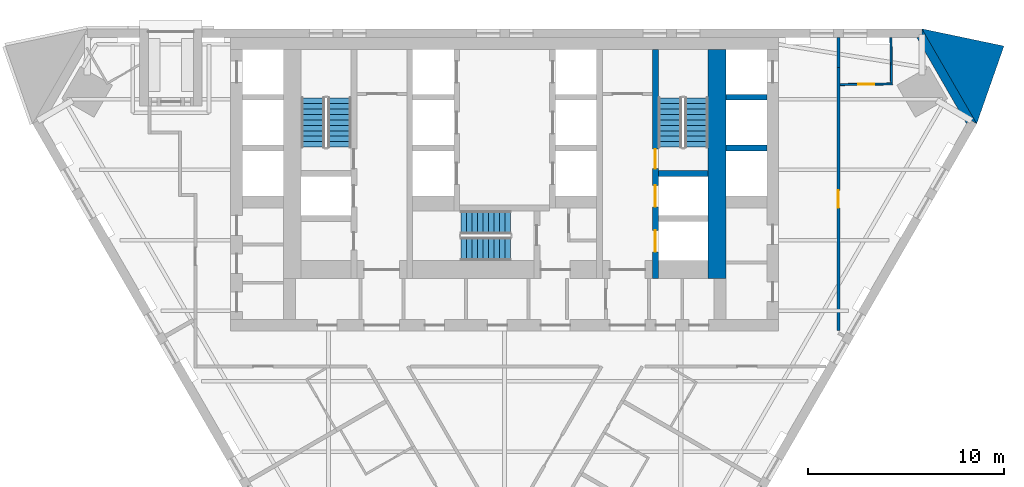
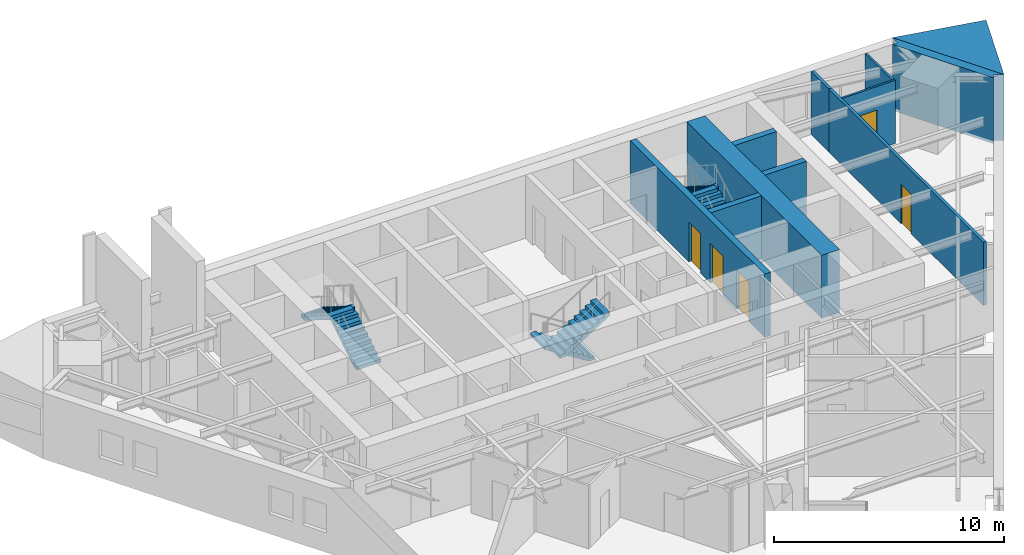
# One storey, part 7 of 9: 11 walls, 6 stair flights, 5 doors, 5 openings, 3 elements without a shape of their own.
"""IFC4 building model written with IfcOpenShell, lengths in metres."""

from ifc_helpers import new_model, si_unit, direction, frame, frame_2d, origin, place, context, subcontext, project, spatial, polyline, rectangle, outline, extrude, material, layer, layer_set, type_object, element, fill, aggregate, save


model = new_model("IFC4")

# Units and contexts
model_context = context("Model", 3, precision=1e-05, world=origin(), true_north=direction((0.0, 1.0)))
body_context = subcontext(model_context, "Body", "Model", "MODEL_VIEW")
ifc_project = project(units=[si_unit("LENGTHUNIT", "METRE"), si_unit("AREAUNIT", "SQUARE_METRE"), si_unit("VOLUMEUNIT", "CUBIC_METRE"), si_unit("PLANEANGLEUNIT", "RADIAN"), si_unit("MASSUNIT", "GRAM", prefix="KILO")], contexts=[model_context])

# Site, building, storey
site_placement = place(None, origin())
site = spatial("IfcSite", under=ifc_project, at=site_placement, CompositionType="ELEMENT")
building_placement = place(site_placement, origin())
building = spatial("IfcBuilding", under=site, at=building_placement, Name="Aloe Facet Convention Tower", CompositionType="ELEMENT")
storey_placement = place(building_placement, frame((0.0, 0.0, 92.300048828125)))
storey = spatial("IfcBuildingStorey", under=building, at=storey_placement, Name="L22", CompositionType="ELEMENT", Elevation=92.300048828125)

# Wall, openings, doors
ifc_material_1 = material(Name="Concrete C70/85", Category="concrete")
ifc_layer_1 = layer(ifc_material_1, 0.300048828125)
ifc_layer_set_1 = layer_set([ifc_layer_1], Name="CR-W-RC300-C7085")
wall_type_1 = type_object("IfcWallType", Name="CR-W-RC300-C7085", PredefinedType="SOLIDWALL", material=ifc_layer_set_1)
wall_1_placement = place(storey_placement, frame((87.699951171875, 133.949951171875, 0.0), z_axis=(0.0, 0.0, 1.0), x_axis=(0.0, -1.0, 0.0)))
wall_1 = element("IfcWall", 1, at=wall_1_placement, inside=storey, type_object=wall_type_1, Name="Core wall L22-042", PredefinedType="SOLIDWALL", context=body_context, shape_type="SweptSolid", body=[
    extrude(rectangle(XDim=11.699951171875, YDim=0.300048828125, at=frame_2d((5.85009765625, 0.0))), origin(), (0.0, 0.0, 1.0), 3.349853515625),
])
opening_1_placement = place(wall_1_placement, frame((6.949951171875, 0.0, 0.0)))
opening_1 = element("IfcOpeningElement", 2, at=opening_1_placement, cuts=wall_1, Name="Opening LD-FF2-L22", PredefinedType="OPENING", context=body_context, shape_type="SweptSolid", body=[
    extrude(rectangle(XDim=1.10009765625, YDim=2.10009765625, at=frame_2d((0.550048828125, 1.050048828125))), frame((0.0, 0.16015625, 0.0), z_axis=(0.0, -1.0, 0.0), x_axis=(1.0, 0.0, 0.0)), (0.0, 0.0, 1.0), 0.320068359375),
])
opening_2_placement = place(wall_1_placement, frame((5.10009765625, 0.0, 0.0)))
opening_2 = element("IfcOpeningElement", 3, at=opening_2_placement, cuts=wall_1, Name="Opening L22-CD30", PredefinedType="OPENING", context=body_context, shape_type="SweptSolid", body=[
    extrude(rectangle(XDim=1.0, YDim=2.10009765625, at=frame_2d((0.5, 1.050048828125))), frame((0.0, 0.16015625, 0.0), z_axis=(0.0, -1.0, 0.0), x_axis=(1.0, 0.0, 0.0)), (0.0, 0.0, 1.0), 0.320068359375),
])
opening_3_placement = place(wall_1_placement, frame((9.25, 0.0, 0.0)))
opening_3 = element("IfcOpeningElement", 4, at=opening_3_placement, cuts=wall_1, Name="Opening LD-SV1-L22", PredefinedType="OPENING", context=body_context, shape_type="SweptSolid", body=[
    extrude(rectangle(XDim=1.10009765625, YDim=2.10009765625, at=frame_2d((0.550048828125, 1.050048828125))), frame((0.0, 0.16015625, 0.0), z_axis=(0.0, -1.0, 0.0), x_axis=(1.0, 0.0, 0.0)), (0.0, 0.0, 1.0), 0.320068359375),
])
ifc_material_2 = material(Name="Steel fire-resisting door set FD120", Category="steel")
door_type_1 = type_object("IfcDoorType", Name="CR-D-STAIR-1000-FD120-SLEFT", OperationType="SINGLE_SWING_LEFT", PredefinedType="DOOR", material=ifc_material_2)
door_1_placement = place(opening_2_placement, origin())
door_1 = element("IfcDoor", 5, at=door_1_placement, inside=storey, type_object=door_type_1, Name="Core door L22-CD30", OperationType="SINGLE_SWING_LEFT", OverallHeight=2.10009765625, OverallWidth=1.0, PredefinedType="DOOR", context=body_context, shape_type="SweptSolid", body=[
    extrude(rectangle(XDim=1.0, YDim=2.10009765625, at=frame_2d((0.5, 1.050048828125))), frame((0.0, 0.02490234375, 0.0), z_axis=(0.0, -1.0, 0.0), x_axis=(1.0, 0.0, 0.0)), (0.0, 0.0, 1.0), 0.050048828125),
])
fill(opening_2, door_1)
ifc_material_3 = material(Name="Stainless steel sliding landing door", Category="steel")
door_type_2 = type_object("IfcDoorType", Name="CR-LD-1100-FD120-_LEFT", OperationType="SLIDING_TO_LEFT", PredefinedType="DOOR", material=ifc_material_3)
door_2_placement = place(opening_1_placement, origin())
door_2 = element("IfcDoor", 6, at=door_2_placement, inside=storey, type_object=door_type_2, Name="Landing door FF2 L22", OperationType="SLIDING_TO_LEFT", OverallHeight=2.10009765625, OverallWidth=1.10009765625, PredefinedType="DOOR", context=body_context, shape_type="SweptSolid", body=[
    extrude(rectangle(XDim=1.10009765625, YDim=2.10009765625, at=frame_2d((0.550048828125, 1.050048828125))), frame((0.0, 0.02490234375, 0.0), z_axis=(0.0, -1.0, 0.0), x_axis=(1.0, 0.0, 0.0)), (0.0, 0.0, 1.0), 0.050048828125),
])
fill(opening_1, door_2)
door_3_placement = place(opening_3_placement, origin())
door_3 = element("IfcDoor", 7, at=door_3_placement, inside=storey, type_object=door_type_2, Name="Landing door SV1 L22", OperationType="SLIDING_TO_LEFT", OverallHeight=2.10009765625, OverallWidth=1.10009765625, PredefinedType="DOOR", context=body_context, shape_type="SweptSolid", body=[
    extrude(rectangle(XDim=1.10009765625, YDim=2.10009765625, at=frame_2d((0.550048828125, 1.050048828125))), frame((0.0, 0.02490234375, 0.0), z_axis=(0.0, -1.0, 0.0), x_axis=(1.0, 0.0, 0.0)), (0.0, 0.0, 1.0), 0.050048828125),
])
fill(opening_3, door_3)

# Walls
wall_2_placement = place(storey_placement, frame((87.85009765625, 127.60009765625, 0.0), z_axis=(0.0, 0.0, 1.0), x_axis=(1.0, 0.0, 0.0)))
element("IfcWall", 8, at=wall_2_placement, inside=storey, type_object=wall_type_1, Name="Core wall L22-043", PredefinedType="SOLIDWALL", context=body_context, shape_type="SweptSolid", body=[
    extrude(rectangle(XDim=2.5498046875, YDim=0.300048828125, at=frame_2d((1.27490234375, 0.0))), origin(), (0.0, 0.0, 1.0), 3.349853515625),
])
for number, where, z_axis, x_axis, name in (
    (9, (91.300048828125, 131.5, 0.0), (0.0, 0.0, 1.0), (1.0, 0.0, 0.0), "Core wall L22-049"),
    (10, (91.300048828125, 128.89990234375, 0.0), (0.0, 0.0, 1.0), (1.0, 0.0, 0.0), "Core wall L22-050"),
):
    element("IfcWall", number, at=place(storey_placement, frame(where, z_axis=z_axis, x_axis=x_axis)), inside=storey, type_object=wall_type_1, Name=name, PredefinedType="SOLIDWALL", context=body_context, shape_type="SweptSolid", body=[
        extrude(rectangle(XDim=2.099853515625, YDim=0.300048828125, at=frame_2d((1.0498046875, 0.0))), origin(), (0.0, 0.0, 1.0), 3.349853515625),
    ])
ifc_material_4 = material(Name="Concrete C70/85", Category="concrete")
ifc_layer_2 = layer(ifc_material_4, 0.89990234375)
ifc_layer_set_2 = layer_set([ifc_layer_2], Name="CR-W-RC900-C7085")
wall_type_2 = type_object("IfcWallType", Name="CR-W-RC900-C7085", PredefinedType="SOLIDWALL", material=ifc_layer_set_2)
wall_3_placement = place(storey_placement, frame((90.85009765625, 133.949951171875, 0.0), z_axis=(0.0, 0.0, 1.0), x_axis=(0.0, -1.0, 0.0)))
element("IfcWall", 11, at=wall_3_placement, inside=storey, type_object=wall_type_2, Name="Core wall L22-047", PredefinedType="SOLIDWALL", context=body_context, shape_type="SweptSolid", body=[
    extrude(rectangle(XDim=11.699951171875, YDim=0.89990234375, at=frame_2d((5.85009765625, 0.0))), origin(), (0.0, 0.0, 1.0), 3.349853515625),
])
ifc_material_5 = material(Name="Precast concrete C40/50", Category="concrete")
ifc_layer_3 = layer(ifc_material_5, 0.449951171875)
ifc_layer_set_3 = layer_set([ifc_layer_3], Name="EV-WALL-PIER")
wall_type_3 = type_object("IfcWallType", Name="EV-WALL-PIER", PredefinedType="SOLIDWALL", material=ifc_layer_set_3)
wall_4_placement = place(storey_placement, frame((0.0, 0.0, -0.150146484375)))
element("IfcWall", 12, at=wall_4_placement, inside=storey, type_object=wall_type_3, Name="EP-L22-C", PredefinedType="SOLIDWALL", context=body_context, shape_type="SweptSolid", body=[
    extrude(outline(polyline([(104.12158203125, 130.150146484375), (103.73193359375, 130.375244140625), (103.601806640625, 130.150146484375), (101.061767578125, 134.550048828125), (101.321533203125, 134.550048828125), (101.321533203125, 135.0), (104.12158203125, 130.150146484375)])), origin(), (0.0, 0.0, 1.0), 3.5),
])
ifc_material_6 = material(Name="Precast concrete C40/50", Category="concrete")
ifc_layer_4 = layer(ifc_material_6, 3.947998046875)
ifc_layer_set_4 = layer_set([ifc_layer_4], Name="EV-WALL-SPINE")
wall_type_4 = type_object("IfcWallType", Name="EV-WALL-SPINE", PredefinedType="SOLIDWALL", material=ifc_layer_set_4)
wall_5_placement = place(storey_placement, frame((0.0, 0.0, -0.150146484375)))
element("IfcWall", 13, at=wall_5_placement, inside=storey, type_object=wall_type_4, Name="SP-NE-L22", PredefinedType="SOLIDWALL", context=body_context, shape_type="SweptSolid", body=[
    extrude(outline(polyline([(104.12158203125, 130.150146484375), (105.515625, 134.119873046875), (101.321533203125, 135.0), (104.12158203125, 130.150146484375)])), origin(), (0.0, 0.0, 1.0), 3.5),
])
ifc_material_7 = material(Name="Gypsum board partition on steel studs", Category="steel")
ifc_layer_5 = layer(ifc_material_7, 0.14990234375)
ifc_layer_set_5 = layer_set([ifc_layer_5], Name="IN-W-CORR")
wall_type_5 = type_object("IfcWallType", Name="IN-W-CORR", PredefinedType="PARTITIONING", material=ifc_layer_set_5)
wall_6_placement = place(storey_placement, frame((97.05712890625, 133.010986328125, 0.0), z_axis=(0.0, 0.0, 1.0), x_axis=(0.0, 1.0, 0.0)))
element("IfcWall", 14, at=wall_6_placement, inside=storey, type_object=wall_type_5, Name="Partition L22-W060", PredefinedType="PARTITIONING", context=body_context, shape_type="SweptSolid", body=[
    extrude(rectangle(XDim=1.5390625, YDim=0.14990234375, at=frame_2d((0.76953125, 0.0))), origin(), (0.0, 0.0, 1.0), 3.349853515625),
])

# Wall, opening, door
wall_7_placement = place(storey_placement, frame((97.05712890625, 119.586669921875, 0.0), z_axis=(0.0, 0.0, 1.0), x_axis=(0.0, 1.0, 0.0)))
wall_7 = element("IfcWall", 15, at=wall_7_placement, inside=storey, type_object=wall_type_5, Name="Partition L22-W061", PredefinedType="PARTITIONING", context=body_context, shape_type="SweptSolid", body=[
    extrude(rectangle(XDim=13.42431640625, YDim=0.14990234375, at=frame_2d((6.712158203125, 0.0))), origin(), (0.0, 0.0, 1.0), 3.349853515625),
])
opening_4_placement = place(wall_7_placement, frame((6.26220703125, 0.0, 0.0)))
opening_4 = element("IfcOpeningElement", 16, at=opening_4_placement, cuts=wall_7, Name="Opening L22-007", PredefinedType="OPENING", context=body_context, shape_type="SweptSolid", body=[
    extrude(rectangle(XDim=0.89990234375, YDim=2.10009765625, at=frame_2d((0.449951171875, 1.050048828125))), frame((0.0, 0.0849609375, 0.0), z_axis=(0.0, -1.0, 0.0), x_axis=(1.0, 0.0, 0.0)), (0.0, 0.0, 1.0), 0.169921875),
])
ifc_material_8 = material(Name="Hardwood flush door FD30S", Category="wood")
door_type_3 = type_object("IfcDoorType", Name="IN-D-GUEST", OperationType="SINGLE_SWING_LEFT", PredefinedType="DOOR", material=ifc_material_8)
door_4_placement = place(opening_4_placement, origin())
door_4 = element("IfcDoor", 17, at=door_4_placement, inside=storey, type_object=door_type_3, Name="Door L22-007", OperationType="SINGLE_SWING_LEFT", OverallHeight=2.10009765625, OverallWidth=0.89990234375, PredefinedType="DOOR", context=body_context, shape_type="SweptSolid", body=[
    extrude(rectangle(XDim=0.89990234375, YDim=2.10009765625, at=frame_2d((0.449951171875, 1.050048828125))), frame((0.0, 0.02490234375, 0.0), z_axis=(0.0, -1.0, 0.0), x_axis=(1.0, 0.0, 0.0)), (0.0, 0.0, 1.0), 0.050048828125),
])
fill(opening_4, door_4)

ifc_material_9 = material(Name="Gypsum board partition on steel studs", Category="steel")
ifc_layer_6 = layer(ifc_material_9, 0.10009765625)
ifc_layer_set_6 = layer_set([ifc_layer_6], Name="IN-W-PART")
wall_type_6 = type_object("IfcWallType", Name="IN-W-PART", PredefinedType="PARTITIONING", material=ifc_layer_set_6)
wall_8_placement = place(storey_placement, frame((97.142822265625, 132.14990234375, 0.0), z_axis=(0.0, 0.0, 1.0), x_axis=(0.999914830804, 0.013051097189, 0.0)))
wall_8 = element("IfcWall", 18, at=wall_8_placement, inside=storey, type_object=wall_type_6, Name="Partition L22-W056", PredefinedType="PARTITIONING", context=body_context, shape_type="SweptSolid", body=[
    extrude(rectangle(XDim=2.675048828125, YDim=0.10009765625, at=frame_2d((1.33740234375, 0.0))), origin(), (0.0, 0.0, 1.0), 3.349853515625),
])
opening_5_placement = place(wall_8_placement, frame((0.9375, 0.0, 0.0)))
opening_5 = element("IfcOpeningElement", 19, at=opening_5_placement, cuts=wall_8, Name="Opening L22-015", PredefinedType="OPENING", context=body_context, shape_type="SweptSolid", body=[
    extrude(rectangle(XDim=0.800048828125, YDim=2.10009765625, at=frame_2d((0.39990234375, 1.050048828125))), frame((0.0, 0.06005859375, 0.0), z_axis=(0.0, -1.0, 0.0), x_axis=(1.0, 0.0, 0.0)), (0.0, 0.0, 1.0), 0.1201171875),
])
ifc_material_10 = material(Name="Timber flush door", Category="wood")
door_type_4 = type_object("IfcDoorType", Name="IN-D-BATH", OperationType="SINGLE_SWING_LEFT", PredefinedType="DOOR", material=ifc_material_10)
door_5_placement = place(opening_5_placement, origin())
door_5 = element("IfcDoor", 20, at=door_5_placement, inside=storey, type_object=door_type_4, Name="Door L22-015", OperationType="SINGLE_SWING_LEFT", OverallHeight=2.10009765625, OverallWidth=0.800048828125, PredefinedType="DOOR", context=body_context, shape_type="SweptSolid", body=[
    extrude(rectangle(XDim=0.800048828125, YDim=2.10009765625, at=frame_2d((0.39990234375, 1.050048828125))), frame((0.0, 0.02490234375, 0.0), z_axis=(0.0, -1.0, 0.0), x_axis=(1.0, 0.0, 0.0)), (0.0, 0.0, 1.0), 0.050048828125),
])
fill(opening_5, door_5)

# Wall
wall_9_placement = place(storey_placement, frame((99.73681640625, 134.550048828125, 0.0), z_axis=(0.0, 0.0, 1.0), x_axis=(0.012965387027, -0.999915945837, 0.0)))
element("IfcWall", 21, at=wall_9_placement, inside=storey, type_object=wall_type_6, Name="Partition L22-W063", PredefinedType="PARTITIONING", context=body_context, shape_type="SweptSolid", body=[
    extrude(rectangle(XDim=2.316162109375, YDim=0.10009765625, at=frame_2d((1.158203125, 0.0))), origin(), (0.0, 0.0, 1.0), 3.349853515625),
])

# Stair, stair flights
ifc_material_11 = material(Name="Concrete C50/60", Category="concrete")
stair_type = type_object("IfcStairType", Name="CR-ST-20R", PredefinedType="HALF_TURN_STAIR", material=ifc_material_11)
stair_1_placement = place(storey_placement, origin())
stair_1 = element("IfcStair", 22, at=stair_1_placement, inside=storey, type_object=stair_type, Name="L22 Protected exit stair ST1", PredefinedType="HALF_TURN_STAIR")
ifc_material_12 = material(Name="Concrete C50/60", Category="concrete")
stair_flight_type = type_object("IfcStairFlightType", Name="CR-SFL-20R", PredefinedType="STRAIGHT", material=ifc_material_12)
stair_flight_1_placement = place(storey_placement, frame((71.550048828125, 128.949951171875, 0.0), z_axis=(0.0, 0.0, 1.0), x_axis=(0.0, 1.0, 0.0)))
stair_flight_1 = element("IfcStairFlight", 23, at=stair_flight_1_placement, type_object=stair_flight_type, Name="ST1 flight 1", NumberOfRisers=10, NumberOfTreads=9, PredefinedType="STRAIGHT", RiserHeight=0.175, TreadLength=0.28, context=body_context, shape_type="SweptSolid", body=[
    extrude(outline(polyline([(0.0, 0.0), (0.0, 0.175048828125), (0.280029296875, 0.175048828125), (0.280029296875, 0.35009765625), (0.56005859375, 0.35009765625), (0.56005859375, 0.52490234375), (0.840087890625, 0.52490234375), (0.840087890625, 0.699951171875), (1.1201171875, 0.699951171875), (1.1201171875, 0.875), (1.39990234375, 0.875), (1.39990234375, 1.050048828125), (1.679931640625, 1.050048828125), (1.679931640625, 1.22509765625), (1.9599609375, 1.22509765625), (1.9599609375, 1.39990234375), (2.239990234375, 1.39990234375), (2.239990234375, 1.574951171875), (2.52001953125, 1.574951171875), (2.52001953125, 1.75), (2.52001953125, 1.398193359375), (0.28271484375, 0.0), (0.0, 0.0)])), frame((0.0, 0.60009765625, 0.0), z_axis=(0.0, -1.0, 0.0), x_axis=(1.0, 0.0, 0.0)), (0.0, 0.0, 1.0), 1.199951171875),
])
stair_flight_2_placement = place(storey_placement, frame((70.199951171875, 131.469970703125, 1.75), z_axis=(0.0, 0.0, 1.0), x_axis=(0.0, -1.0, 0.0)))
stair_flight_2 = element("IfcStairFlight", 24, at=stair_flight_2_placement, type_object=stair_flight_type, Name="ST1 flight 2", NumberOfRisers=10, NumberOfTreads=9, PredefinedType="STRAIGHT", RiserHeight=0.175, TreadLength=0.28, context=body_context, shape_type="SweptSolid", body=[
    extrude(outline(polyline([(0.0, 0.0), (0.0, 0.175048828125), (0.280029296875, 0.175048828125), (0.280029296875, 0.35009765625), (0.56005859375, 0.35009765625), (0.56005859375, 0.52490234375), (0.840087890625, 0.52490234375), (0.840087890625, 0.699951171875), (1.1201171875, 0.699951171875), (1.1201171875, 0.875), (1.39990234375, 0.875), (1.39990234375, 1.050048828125), (1.679931640625, 1.050048828125), (1.679931640625, 1.22509765625), (1.9599609375, 1.22509765625), (1.9599609375, 1.39990234375), (2.239990234375, 1.39990234375), (2.239990234375, 1.574951171875), (2.52001953125, 1.574951171875), (2.52001953125, 1.75), (2.52001953125, 1.398193359375), (0.28271484375, 0.0), (0.0, 0.0)])), frame((0.0, 0.60009765625, 0.0), z_axis=(0.0, -1.0, 0.0), x_axis=(1.0, 0.0, 0.0)), (0.0, 0.0, 1.0), 1.199951171875),
])
aggregate(stair_1, [stair_flight_1, stair_flight_2])

stair_2_placement = place(storey_placement, origin())
stair_2 = element("IfcStair", 25, at=stair_2_placement, inside=storey, type_object=stair_type, Name="L22 Protected exit stair ST2", PredefinedType="HALF_TURN_STAIR")
stair_flight_3_placement = place(storey_placement, frame((89.800048828125, 128.949951171875, 0.0), z_axis=(0.0, 0.0, 1.0), x_axis=(0.0, 1.0, 0.0)))
stair_flight_3 = element("IfcStairFlight", 26, at=stair_flight_3_placement, type_object=stair_flight_type, Name="ST2 flight 1", NumberOfRisers=10, NumberOfTreads=9, PredefinedType="STRAIGHT", RiserHeight=0.175, TreadLength=0.28, context=body_context, shape_type="SweptSolid", body=[
    extrude(outline(polyline([(0.0, 0.0), (0.0, 0.175048828125), (0.280029296875, 0.175048828125), (0.280029296875, 0.35009765625), (0.56005859375, 0.35009765625), (0.56005859375, 0.52490234375), (0.840087890625, 0.52490234375), (0.840087890625, 0.699951171875), (1.1201171875, 0.699951171875), (1.1201171875, 0.875), (1.39990234375, 0.875), (1.39990234375, 1.050048828125), (1.679931640625, 1.050048828125), (1.679931640625, 1.22509765625), (1.9599609375, 1.22509765625), (1.9599609375, 1.39990234375), (2.239990234375, 1.39990234375), (2.239990234375, 1.574951171875), (2.52001953125, 1.574951171875), (2.52001953125, 1.75), (2.52001953125, 1.398193359375), (0.28271484375, 0.0), (0.0, 0.0)])), frame((0.0, 0.60009765625, 0.0), z_axis=(0.0, -1.0, 0.0), x_axis=(1.0, 0.0, 0.0)), (0.0, 0.0, 1.0), 1.199951171875),
])
stair_flight_4_placement = place(storey_placement, frame((88.449951171875, 131.469970703125, 1.75), z_axis=(0.0, 0.0, 1.0), x_axis=(0.0, -1.0, 0.0)))
stair_flight_4 = element("IfcStairFlight", 27, at=stair_flight_4_placement, type_object=stair_flight_type, Name="ST2 flight 2", NumberOfRisers=10, NumberOfTreads=9, PredefinedType="STRAIGHT", RiserHeight=0.175, TreadLength=0.28, context=body_context, shape_type="SweptSolid", body=[
    extrude(outline(polyline([(0.0, 0.0), (0.0, 0.175048828125), (0.280029296875, 0.175048828125), (0.280029296875, 0.35009765625), (0.56005859375, 0.35009765625), (0.56005859375, 0.52490234375), (0.840087890625, 0.52490234375), (0.840087890625, 0.699951171875), (1.1201171875, 0.699951171875), (1.1201171875, 0.875), (1.39990234375, 0.875), (1.39990234375, 1.050048828125), (1.679931640625, 1.050048828125), (1.679931640625, 1.22509765625), (1.9599609375, 1.22509765625), (1.9599609375, 1.39990234375), (2.239990234375, 1.39990234375), (2.239990234375, 1.574951171875), (2.52001953125, 1.574951171875), (2.52001953125, 1.75), (2.52001953125, 1.398193359375), (0.28271484375, 0.0), (0.0, 0.0)])), frame((0.0, 0.60009765625, 0.0), z_axis=(0.0, -1.0, 0.0), x_axis=(1.0, 0.0, 0.0)), (0.0, 0.0, 1.0), 1.199951171875),
])
aggregate(stair_2, [stair_flight_3, stair_flight_4])

stair_3_placement = place(storey_placement, origin())
stair_3 = element("IfcStair", 28, at=stair_3_placement, inside=storey, type_object=stair_type, Name="L22 Protected exit stair ST3", PredefinedType="HALF_TURN_STAIR")
stair_flight_5_placement = place(storey_placement, frame((80.300048828125, 125.10009765625, 0.0), z_axis=(0.0, 0.0, 1.0), x_axis=(-1.0, 0.0, 0.0)))
stair_flight_5 = element("IfcStairFlight", 29, at=stair_flight_5_placement, type_object=stair_flight_type, Name="ST3 flight 1", NumberOfRisers=10, NumberOfTreads=9, PredefinedType="STRAIGHT", RiserHeight=0.175, TreadLength=0.28, context=body_context, shape_type="SweptSolid", body=[
    extrude(outline(polyline([(0.0, 0.0), (0.0, 0.175048828125), (0.280029296875, 0.175048828125), (0.280029296875, 0.35009765625), (0.56005859375, 0.35009765625), (0.56005859375, 0.52490234375), (0.840087890625, 0.52490234375), (0.840087890625, 0.699951171875), (1.1201171875, 0.699951171875), (1.1201171875, 0.875), (1.39990234375, 0.875), (1.39990234375, 1.050048828125), (1.679931640625, 1.050048828125), (1.679931640625, 1.22509765625), (1.9599609375, 1.22509765625), (1.9599609375, 1.39990234375), (2.239990234375, 1.39990234375), (2.239990234375, 1.574951171875), (2.52001953125, 1.574951171875), (2.52001953125, 1.75), (2.52001953125, 1.398193359375), (0.28271484375, 0.0), (0.0, 0.0)])), frame((0.0, 0.60009765625, 0.0), z_axis=(0.0, -1.0, 0.0), x_axis=(1.0, 0.0, 0.0)), (0.0, 0.0, 1.0), 1.199951171875),
])
stair_flight_6_placement = place(storey_placement, frame((77.780029296875, 123.75, 1.75), z_axis=(0.0, 0.0, 1.0), x_axis=(1.0, 0.0, 0.0)))
stair_flight_6 = element("IfcStairFlight", 30, at=stair_flight_6_placement, type_object=stair_flight_type, Name="ST3 flight 2", NumberOfRisers=10, NumberOfTreads=9, PredefinedType="STRAIGHT", RiserHeight=0.175, TreadLength=0.28, context=body_context, shape_type="SweptSolid", body=[
    extrude(outline(polyline([(0.0, 0.0), (0.0, 0.175048828125), (0.280029296875, 0.175048828125), (0.280029296875, 0.35009765625), (0.56005859375, 0.35009765625), (0.56005859375, 0.52490234375), (0.840087890625, 0.52490234375), (0.840087890625, 0.699951171875), (1.1201171875, 0.699951171875), (1.1201171875, 0.875), (1.39990234375, 0.875), (1.39990234375, 1.050048828125), (1.679931640625, 1.050048828125), (1.679931640625, 1.22509765625), (1.9599609375, 1.22509765625), (1.9599609375, 1.39990234375), (2.239990234375, 1.39990234375), (2.239990234375, 1.574951171875), (2.52001953125, 1.574951171875), (2.52001953125, 1.75), (2.52001953125, 1.398193359375), (0.28271484375, 0.0), (0.0, 0.0)])), frame((0.0, 0.60009765625, 0.0), z_axis=(0.0, -1.0, 0.0), x_axis=(1.0, 0.0, 0.0)), (0.0, 0.0, 1.0), 1.199951171875),
])
aggregate(stair_3, [stair_flight_5, stair_flight_6])

save(model, "model.ifc")
